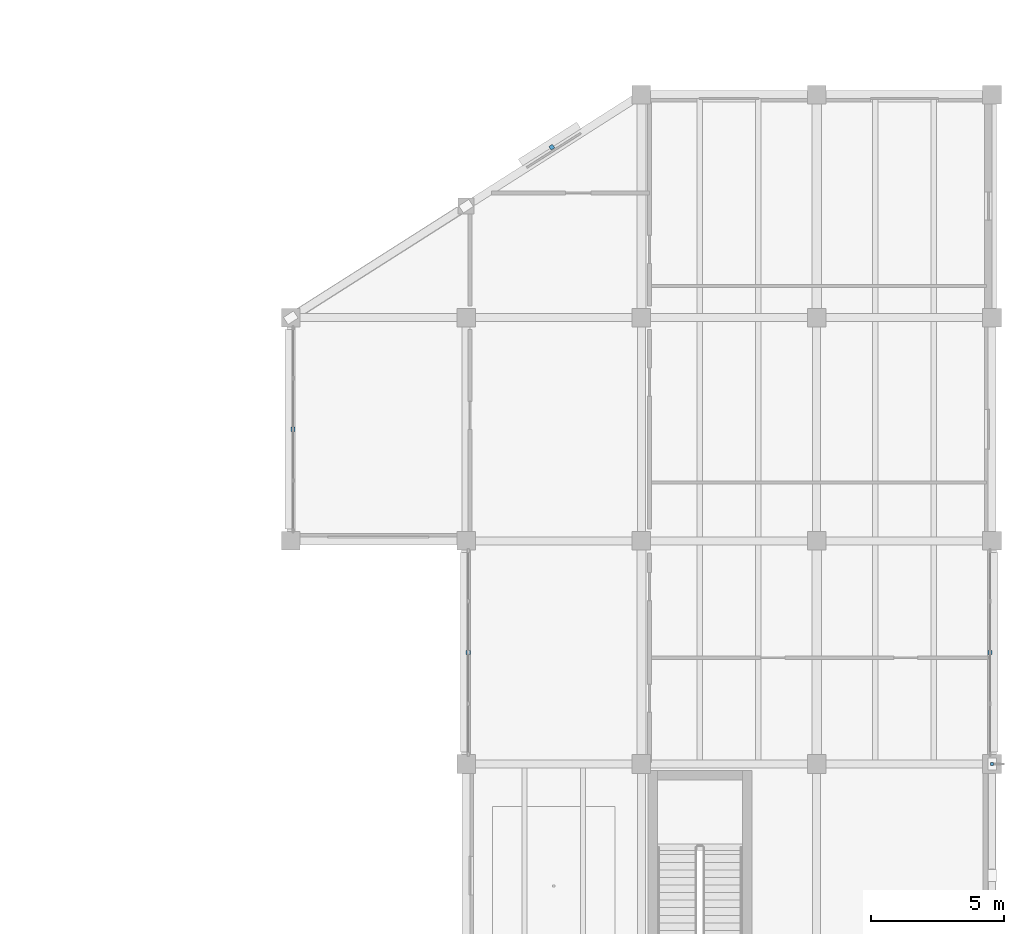
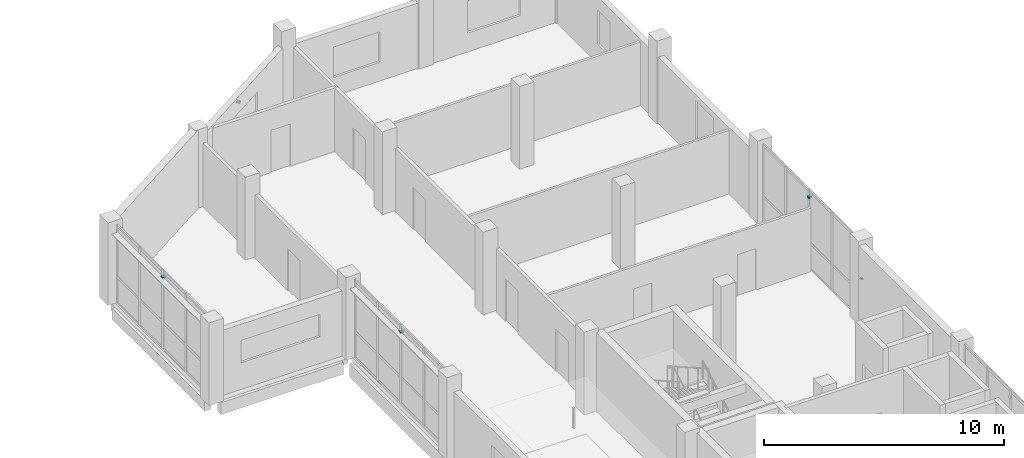
# One storey, part 16 of 19: 5 discrete accessories.
"""IFC4 building model written with IfcOpenShell, lengths in metres."""

import ifcopenshell
import ifcopenshell.guid

model = None  # the IFC model being written
_history = None  # IfcOwnerHistory: only IFC2X3 demands one
_inside = {}  # id of a spatial element -> (the spatial element, [elements in it])
_under = {}  # id of a project, library or spatial element -> (it, [spatial elements below it])
_declared = {}  # id of a project -> (the project, [libraries it declares])
_typed = {}  # id of a type object -> (the type object, [elements of that type])
_made_of = {}  # id of a material, layer set ... -> (it, [elements and type objects made of it])


def new_model(schema):
    """Start an empty IFC model of exactly this schema.

    Asked for "IFC4X3", IfcOpenShell would pick the latest addendum, in which some entities
    have other attributes; the version numbers below select the first issue.
    IFC2X3 requires an IfcOwnerHistory on every rooted entity: one is made here for all.
    """
    global model, _history
    if schema == "IFC4X3":
        model = ifcopenshell.file(schema_version=(4, 3, 0, 0))
    else:
        model = ifcopenshell.file(schema=schema)
    _inside.clear()
    _under.clear()
    _declared.clear()
    _typed.clear()
    _made_of.clear()
    _history = None
    if model.schema == "IFC2X3":
        org = make("IfcOrganization", Name="unknown")
        user = make(
            "IfcPersonAndOrganization",
            ThePerson=make("IfcPerson", FamilyName="unknown"),
            TheOrganization=org,
        )
        app = make(
            "IfcApplication",
            ApplicationDeveloper=org,
            Version="unknown",
            ApplicationFullName="unknown",
            ApplicationIdentifier="unknown",
        )
        _history = make(
            "IfcOwnerHistory",
            OwningUser=user,
            OwningApplication=app,
            ChangeAction="ADDED",
            CreationDate=0,
        )
    return model


def make(cls, **values):
    """One entity of the class cls with the attributes given. An attribute that is None is left unset."""
    return model.create_entity(
        cls, **{name: value for name, value in values.items() if value is not None}
    )


def rooted(cls, **values):
    """An entity with a GlobalId (a new one), such as an element, a storey or a relation."""
    return make(cls, GlobalId=ifcopenshell.guid.new(), OwnerHistory=_history, **values)


def si_unit(unit_type, name, prefix=None):
    """IfcSIUnit, for example si_unit("LENGTHUNIT", "METRE", prefix="MILLI")."""
    return make("IfcSIUnit", UnitType=unit_type, Prefix=prefix, Name=name)


def assignment(units):
    """IfcUnitAssignment: the units of a project."""
    return None if units is None else make("IfcUnitAssignment", Units=units)


def point(xyz):
    """IfcCartesianPoint."""
    return None if xyz is None else make("IfcCartesianPoint", Coordinates=xyz)


def direction(xyz):
    """IfcDirection."""
    return None if xyz is None else make("IfcDirection", DirectionRatios=xyz)


def frame(location, z_axis=None, x_axis=None):
    """IfcAxis2Placement3D, a coordinate frame: its origin and axes. An axis left out is left unset."""
    return make(
        "IfcAxis2Placement3D",
        Location=point(location),
        Axis=direction(z_axis),
        RefDirection=direction(x_axis),
    )


def frame_2d(location, x_axis=None):
    """IfcAxis2Placement2D, a coordinate frame in the plane: its origin and x axis."""
    return make(
        "IfcAxis2Placement2D", Location=point(location), RefDirection=direction(x_axis)
    )


def origin():
    """The frame at (0, 0, 0) with its axes left unset."""
    return frame((0.0, 0.0, 0.0))


def origin_2d():
    """The frame at (0, 0) in the plane with its x axis left unset."""
    return frame_2d((0.0, 0.0))


def place(relative_to, where):
    """IfcLocalPlacement: puts the frame where relative to a parent placement (None: the world)."""
    return make(
        "IfcLocalPlacement", PlacementRelTo=relative_to, RelativePlacement=where
    )


def context(
    kind, dimensions, precision=None, world=None, true_north=None, identifier=None
):
    """IfcGeometricRepresentationContext, for example the 3D "Model" context."""
    return make(
        "IfcGeometricRepresentationContext",
        ContextIdentifier=identifier,
        ContextType=kind,
        CoordinateSpaceDimension=dimensions,
        Precision=precision,
        WorldCoordinateSystem=world,
        TrueNorth=true_north,
    )


def subcontext(parent, identifier, kind, view, scale=None):
    """IfcGeometricRepresentationSubContext, for example "Body" below "Model"."""
    return make(
        "IfcGeometricRepresentationSubContext",
        ContextIdentifier=identifier,
        ContextType=kind,
        ParentContext=parent,
        TargetScale=scale,
        TargetView=view,
    )


def project(units=None, contexts=None):
    """IfcProject with its units and contexts."""
    return rooted(
        "IfcProject",
        Name="project",
        RepresentationContexts=contexts,
        UnitsInContext=assignment(units),
    )


def spatial(cls, under=None, at=None, **own):
    """A site, building, storey or space (cls), placed at a placement, below another one or the project."""
    s = rooted(cls, ObjectPlacement=at, **own)
    if under is not None:
        _under.setdefault(under.id(), (under, []))[1].append(s)
    return s


def profile(cls, at=None, kind="AREA", **sizes):
    """A parametric profile (cls). Its sizes go by their IFC names, for example OverallWidth=200.0."""
    return make(cls, ProfileType=kind, Position=at, **sizes)


def rectangle(**sizes):
    """IfcRectangleProfileDef."""
    return profile("IfcRectangleProfileDef", **sizes)


def extrude(swept, where, along, depth):
    """IfcExtrudedAreaSolid: the profile swept, set in the frame where, extruded along a direction by depth."""
    return make(
        "IfcExtrudedAreaSolid",
        SweptArea=swept,
        Position=where,
        ExtrudedDirection=direction(along),
        Depth=depth,
    )


def shape(context_of_items, identifier, shape_type, items):
    """IfcShapeRepresentation: the items that make up one representation, for example the "Body"."""
    return make(
        "IfcShapeRepresentation",
        ContextOfItems=context_of_items,
        RepresentationIdentifier=identifier,
        RepresentationType=shape_type,
        Items=items,
    )


def material(Name=None, Category=None):
    """IfcMaterial."""
    return make("IfcMaterial", Name=Name, Category=Category)


def layer(
    of_material, thickness, ventilated=None, Name=None, Category=None, Priority=None
):
    """IfcMaterialLayer: one layer of a wall or slab, of a material (None: an air gap)."""
    return make(
        "IfcMaterialLayer",
        Material=of_material,
        LayerThickness=thickness,
        IsVentilated=ventilated,
        Name=Name,
        Category=Category,
        Priority=Priority,
    )


def layer_set(layers, Name=None):
    """IfcMaterialLayerSet."""
    return make("IfcMaterialLayerSet", MaterialLayers=layers, LayerSetName=Name)


def made_of(thing, what):
    """Note that an element or type object is made of a material, layer set ...; save() writes the relation."""
    if what is not None:
        _made_of.setdefault(what.id(), (what, []))[1].append(thing)
    return thing


def type_object(cls, material=None, **own):
    """A type object (cls), such as IfcWallType, which elements share."""
    return made_of(rooted(cls, **own), material)


def element(
    cls,
    number,
    at=None,
    inside=None,
    cuts=None,
    type_object=None,
    material=None,
    context=None,
    identifier="Body",
    shape_type=None,
    held_by="IfcProductDefinitionShape",
    body=None,
    shapes=None,
    **own,
):
    """One element of the class cls, such as IfcWall. Its Tag is "e" and its number.

    at: its placement. inside: the storey or other place that contains it. cuts: it is an
    opening in that element (IfcRelVoidsElement). A single representation is given by context,
    identifier, shape_type and body (its items); several are given by shapes. held_by: the class
    of the entity that holds the representations. save() writes the other relations.
    """
    e = rooted(cls, Tag="e%d" % number, ObjectPlacement=at, **own)
    if body is not None:
        shapes = [shape(context, identifier, shape_type, body)]
    if shapes is not None:
        e.Representation = make(held_by, Representations=shapes)
    if inside is not None:
        _inside.setdefault(inside.id(), (inside, []))[1].append(e)
    if cuts is not None:
        rooted(
            "IfcRelVoidsElement", RelatingBuildingElement=cuts, RelatedOpeningElement=e
        )
    if type_object is not None:
        _typed.setdefault(type_object.id(), (type_object, []))[1].append(e)
    return made_of(e, material)


def aggregate(whole, parts):
    """IfcRelAggregates: a whole, such as a stair, and the parts it consists of."""
    return rooted("IfcRelAggregates", RelatingObject=whole, RelatedObjects=parts)


def save(model, path):
    """Write the relations noted so far, then the file.

    IfcRelAggregates (storeys below a building ...), IfcRelContainedInSpatialStructure (elements
    in a storey), IfcRelDefinesByType, IfcRelAssociatesMaterial and IfcRelDeclares: one each for
    every whole, place, type object, material and project.
    """
    for whole, parts in _under.values():
        aggregate(whole, parts)
    for where, things in _inside.values():
        rooted(
            "IfcRelContainedInSpatialStructure",
            RelatedElements=things,
            RelatingStructure=where,
        )
    for kind, things in _typed.values():
        rooted("IfcRelDefinesByType", RelatedObjects=things, RelatingType=kind)
    for what, things in _made_of.values():
        rooted("IfcRelAssociatesMaterial", RelatedObjects=things, RelatingMaterial=what)
    for by, libraries in _declared.values():
        rooted("IfcRelDeclares", RelatingContext=by, RelatedDefinitions=libraries)
    model.write(path)


model = new_model("IFC4")

# Units and contexts
model_context = context("Model", 3, precision=1e-05, world=origin(), true_north=direction((0.0, 1.0)))
body_context = subcontext(model_context, "Body", "Model", "MODEL_VIEW")
ifc_project = project(units=[si_unit("LENGTHUNIT", "METRE"), si_unit("AREAUNIT", "SQUARE_METRE"), si_unit("VOLUMEUNIT", "CUBIC_METRE"), si_unit("PLANEANGLEUNIT", "RADIAN"), si_unit("MASSUNIT", "GRAM", prefix="KILO")], contexts=[model_context])

# Site, building, storey
site_placement = place(None, origin())
site = spatial("IfcSite", under=ifc_project, at=site_placement, CompositionType="ELEMENT")
building_placement = place(site_placement, origin())
building = spatial("IfcBuilding", under=site, at=building_placement, Name="Qaldarim Faculty of Natural and Applied Sciences", CompositionType="ELEMENT")
storey_placement = place(building_placement, frame((0.0, 0.0, 27.0)))
storey = spatial("IfcBuildingStorey", under=building, at=storey_placement, Name="L06", CompositionType="ELEMENT", Elevation=27.0)

# Discrete accessories
ifc_material = material(Name="Architectural stainless steel 316", Category="steel")
ifc_layer = layer(ifc_material, 0.080078125)
ifc_layer_set = layer_set([ifc_layer], Name="Architectural stainless steel 316")
discrete_accessory_type = type_object("IfcDiscreteAccessoryType", Name="FacadeBracket-SS120", PredefinedType="BRACKET", material=ifc_layer_set)
for number, where, z_axis, x_axis, name in (
    (1, (151.8798828125, 46.199951171875, 3.58984375), (0.0, 0.0, 1.0), (0.0, 1.0, 0.0), "Solar louvre support bracket SHD-L06-W-X24Y06"),
    (2, (158.47998046875, 37.800048828125, 3.58984375), (0.0, 0.0, 1.0), (0.0, 1.0, 0.0), "Solar louvre support bracket SHD-L06-W-X25Y05"),
    (3, (178.1201171875, 37.800048828125, 3.58984375), (0.0, 0.0, 1.0), (0.0, 1.0, 0.0), "Solar louvre support bracket SHD-L06-E-X27Y05"),
    (4, (161.625, 56.820068359375, 2.659912109375), (0.0, 0.0, 1.0), (0.843775713382, 0.536695952571, 0.0), "Oblique solar louvre bracket SHD-OBL-NW-L06-2"),
):
    element("IfcDiscreteAccessory", number, at=place(storey_placement, frame(where, z_axis=z_axis, x_axis=x_axis)), inside=storey, type_object=discrete_accessory_type, Name=name, PredefinedType="BRACKET", context=body_context, shape_type="SweptSolid", body=[
        extrude(rectangle(XDim=0.159912109375, YDim=0.159912109375, at=origin_2d()), origin(), (0.0, 0.0, 1.0), 0.080078125),
    ])
discrete_accessory_placement = place(storey_placement, frame((178.199951171875, 33.60009765625, 1.949951171875), z_axis=(0.0, 0.0, 1.0), x_axis=(1.0, 0.0, 0.0)))
element("IfcDiscreteAccessory", 5, at=discrete_accessory_placement, inside=storey, type_object=discrete_accessory_type, Name="Tower fin bracket FIN-V5E-L06-Y05", PredefinedType="BRACKET", context=body_context, shape_type="SweptSolid", body=[
    extrude(rectangle(XDim=0.1201171875, YDim=0.1201171875, at=origin_2d()), origin(), (0.0, 0.0, 1.0), 0.080078125),
])

save(model, "model.ifc")
